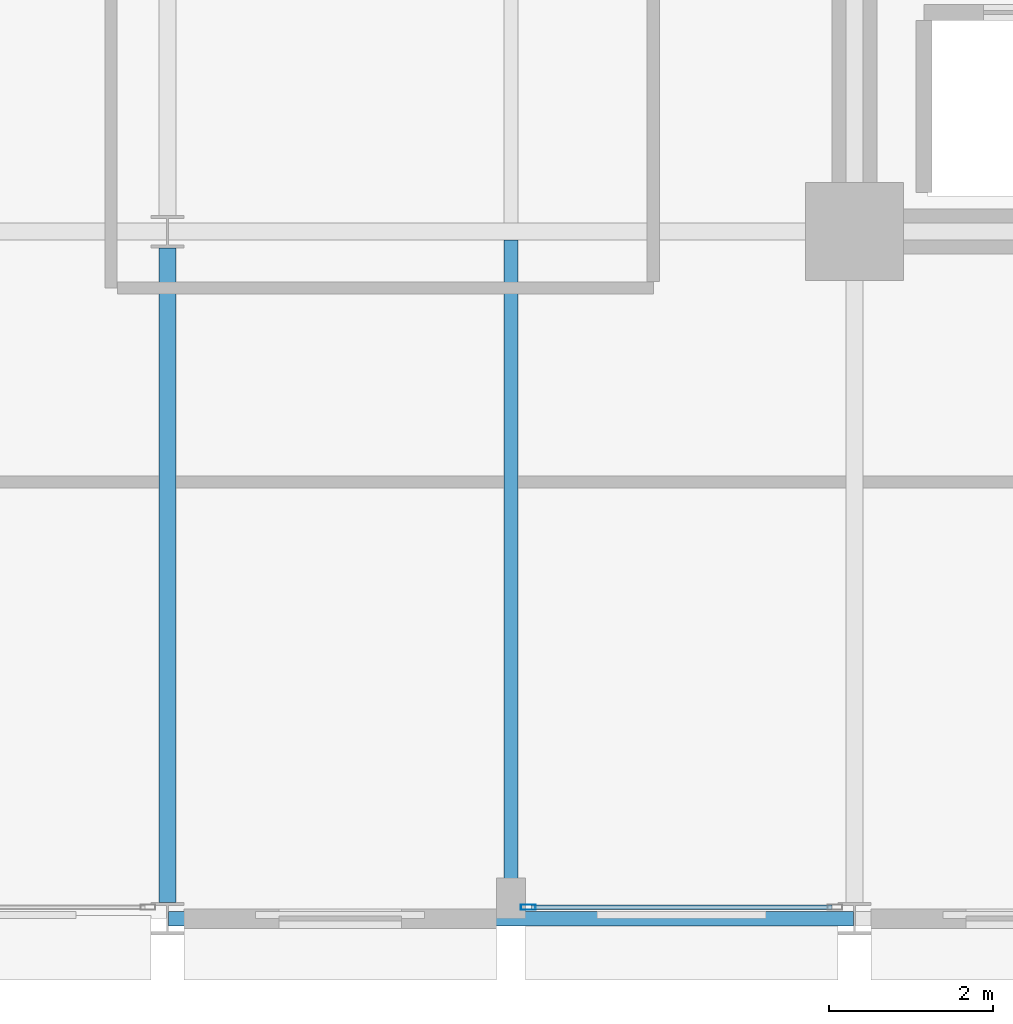
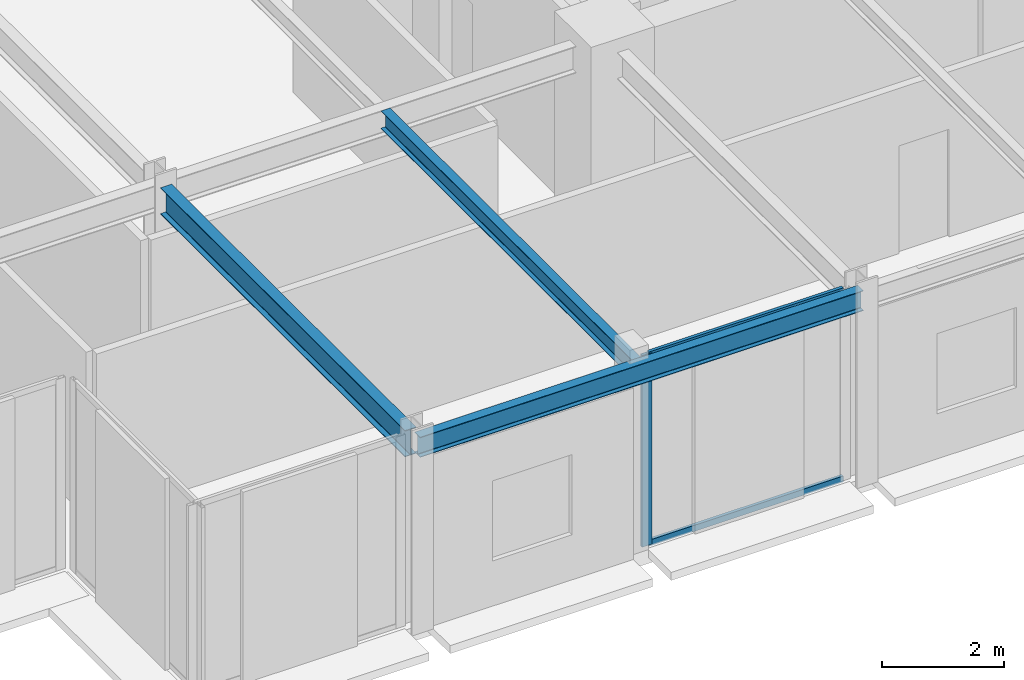
# One storey, part 3 of 30: 3 beams, 3 members, 1 element without a shape of its own.
"""IFC4 building model written with IfcOpenShell, lengths in metres."""

from ifc_helpers import new_model, si_unit, direction, frame, origin, origin_2d, place, context, subcontext, project, spatial, hollow_rectangle, i_section, extrude, material, layer, layer_set, material_profile, profile_set, type_object, element, aggregate, save


model = new_model("IFC4")

# Units and contexts
model_context = context("Model", 3, precision=1e-05, world=origin(), true_north=direction((0.0, 1.0)))
body_context = subcontext(model_context, "Body", "Model", "MODEL_VIEW")
ifc_project = project(units=[si_unit("LENGTHUNIT", "METRE"), si_unit("AREAUNIT", "SQUARE_METRE"), si_unit("VOLUMEUNIT", "CUBIC_METRE"), si_unit("PLANEANGLEUNIT", "RADIAN"), si_unit("MASSUNIT", "GRAM", prefix="KILO")], contexts=[model_context])

# Site, building, storey
site_placement = place(None, origin())
site = spatial("IfcSite", under=ifc_project, at=site_placement, CompositionType="ELEMENT")
building_placement = place(site_placement, origin())
building = spatial("IfcBuilding", under=site, at=building_placement, Name="Nerrivon Quay Data Exchange", CompositionType="ELEMENT")
storey_placement = place(building_placement, frame((0.0, 0.0, 141.800048828125)))
storey = spatial("IfcBuildingStorey", under=building, at=storey_placement, Name="L33", CompositionType="ELEMENT", Elevation=141.800048828125)

# Beams
ifc_material_1 = material(Name="Steel Grade 350", Category="steel")
ifc_material_profile_1 = material_profile(ifc_material_1, i_section(OverallWidth=0.208984375, OverallDepth=0.528076171875, WebThickness=0.009521484375, FlangeThickness=0.01318359375, FilletRadius=0.013916015625, at=origin_2d()), Name="530UB82.0")
ifc_profile_set_1 = profile_set([ifc_material_profile_1], Name="Steel Grade 350")
beam_type_1 = type_object("IfcBeamType", Name="BM-G4-530UB82", PredefinedType="BEAM", material=ifc_profile_set_1)
beam_1_placement = place(storey_placement, frame((8.39990234375, 0.199951171875, 3.56103515625), z_axis=(0.0, 1.0, 0.0), x_axis=(-1.0, 0.0, 0.0)))
element("IfcBeam", 1, at=beam_1_placement, inside=storey, type_object=beam_type_1, Name="L33 NS Girder X=8.4 (0.0..8.4)", PredefinedType="BEAM", context=body_context, shape_type="SweptSolid", body=[
    extrude(i_section(OverallWidth=0.208984375, OverallDepth=0.528076171875, WebThickness=0.009521484375, FlangeThickness=0.01318359375, FilletRadius=0.013916015625, at=origin_2d()), origin(), (0.0, 0.0, 1.0), 8.0),
])
ifc_material_profile_2 = material_profile(ifc_material_1, i_section(OverallWidth=0.1708984375, OverallDepth=0.35595703125, WebThickness=0.00732421875, FlangeThickness=0.011474609375, FilletRadius=0.011474609375, at=origin_2d()), Name="360UB50.7")
ifc_profile_set_2 = profile_set([ifc_material_profile_2], Name="Steel Grade 350")
beam_type_2 = type_object("IfcBeamType", Name="BM-J4-360UB51", PredefinedType="JOIST", material=ifc_profile_set_2)
beam_2_placement = place(storey_placement, frame((12.60009765625, 0.089111328125, 3.64697265625), z_axis=(0.0, 1.0, 0.0), x_axis=(-1.0, 0.0, 0.0)))
element("IfcBeam", 2, at=beam_2_placement, inside=storey, type_object=beam_type_2, Name="L33 Secondary Joist X=12.6 (0.0..8.4)", PredefinedType="JOIST", context=body_context, shape_type="SweptSolid", body=[
    extrude(i_section(OverallWidth=0.1708984375, OverallDepth=0.35595703125, WebThickness=0.00732421875, FlangeThickness=0.011474609375, FilletRadius=0.011474609375, at=origin_2d()), origin(), (0.0, 0.0, 1.0), 8.206298828125),
])
ifc_material_profile_3 = material_profile(ifc_material_1, i_section(OverallWidth=0.177978515625, OverallDepth=0.403076171875, WebThickness=0.007568359375, FlangeThickness=0.010986328125, FilletRadius=0.011474609375, at=origin_2d()), Name="410UB53.7")
ifc_profile_set_3 = profile_set([ifc_material_profile_3], Name="Steel Grade 350")
beam_type_3 = type_object("IfcBeamType", Name="BM-SP2-410UB54", PredefinedType="SPANDREL", material=ifc_profile_set_3)
beam_3_placement = place(storey_placement, frame((8.41259765625, 0.0, 3.62353515625), z_axis=(1.0, 0.0, 0.0), x_axis=(0.0, 1.0, 0.0)))
element("IfcBeam", 3, at=beam_3_placement, inside=storey, type_object=beam_type_3, Name="L33 EW Girder Y=0.0 (8.4..16.8)", PredefinedType="SPANDREL", context=body_context, shape_type="SweptSolid", body=[
    extrude(i_section(OverallWidth=0.177978515625, OverallDepth=0.403076171875, WebThickness=0.007568359375, FlangeThickness=0.010986328125, FilletRadius=0.011474609375, at=origin_2d()), origin(), (0.0, 0.0, 1.0), 8.375),
])

# Curtain wall, members
ifc_material_2 = material(Name="Anodised aluminium 6063-T6", Category="aluminium")
ifc_layer = layer(ifc_material_2, 0.2099609375)
ifc_layer_set = layer_set([ifc_layer], Name="Anodised aluminium 6063-T6")
curtain_wall_type = type_object("IfcCurtainWallType", Name="CW-SYS-02", PredefinedType="NOTDEFINED", material=ifc_layer_set)
curtain_wall_placement = place(storey_placement, origin())
curtain_wall = element("IfcCurtainWall", 4, at=curtain_wall_placement, inside=storey, type_object=curtain_wall_type, Name="L33 Unitised Curtain Wall 6", PredefinedType="NOTDEFINED")
ifc_material_profile_4 = material_profile(ifc_material_2, hollow_rectangle(XDim=0.06494140625, YDim=0.179931640625, WallThickness=0.00341796875, at=origin_2d()), Name="ALU-MULL-180x65")
ifc_profile_set_4 = profile_set([ifc_material_profile_4], Name="Anodised aluminium 6063-T6")
member_type_1 = type_object("IfcMemberType", Name="CWM-180x65", PredefinedType="MULLION", material=ifc_profile_set_4)
member_1_placement = place(storey_placement, frame((12.8125, 0.139892578125, 0.0), z_axis=(0.0, 0.0, 1.0), x_axis=(0.0, -1.0, 0.0)))
member_1 = element("IfcMember", 5, at=member_1_placement, type_object=member_type_1, Name="CW02 mullion 2", PredefinedType="MULLION", context=body_context, shape_type="SweptSolid", body=[
    extrude(hollow_rectangle(XDim=0.06494140625, YDim=0.179931640625, WallThickness=0.00341796875, at=origin_2d()), origin(), (0.0, 0.0, 1.0), 3.824951171875),
])
ifc_material_profile_5 = material_profile(ifc_material_2, hollow_rectangle(XDim=0.06005859375, YDim=0.1201171875, WallThickness=0.003173828125, at=origin_2d()), Name="ALU-TRAN-120x60")
ifc_profile_set_5 = profile_set([ifc_material_profile_5], Name="Anodised aluminium 6063-T6")
member_type_2 = type_object("IfcMemberType", Name="CWT-120x60", PredefinedType="USERDEFINED", material=ifc_profile_set_5)
member_2_placement = place(storey_placement, frame((16.52490234375, 0.139892578125, 0.032470703125), z_axis=(-1.0, 0.0, 0.0), x_axis=(0.0, -1.0, 0.0)))
member_2 = element("IfcMember", 6, at=member_2_placement, type_object=member_type_2, Name="CW02 transom 1.1", ObjectType="TRANSOM", PredefinedType="USERDEFINED", context=body_context, shape_type="SweptSolid", body=[
    extrude(hollow_rectangle(XDim=0.06005859375, YDim=0.1201171875, WallThickness=0.003173828125, at=origin_2d()), origin(), (0.0, 0.0, 1.0), 3.6748046875),
])
member_3_placement = place(storey_placement, frame((16.52490234375, 0.139892578125, 3.79248046875), z_axis=(-1.0, 0.0, 0.0), x_axis=(0.0, -1.0, 0.0)))
member_3 = element("IfcMember", 7, at=member_3_placement, type_object=member_type_2, Name="CW02 transom 1.2", ObjectType="TRANSOM", PredefinedType="USERDEFINED", context=body_context, shape_type="SweptSolid", body=[
    extrude(hollow_rectangle(XDim=0.06005859375, YDim=0.1201171875, WallThickness=0.003173828125, at=origin_2d()), origin(), (0.0, 0.0, 1.0), 3.6748046875),
])
aggregate(curtain_wall, [member_1, member_2, member_3])

save(model, "model.ifc")
